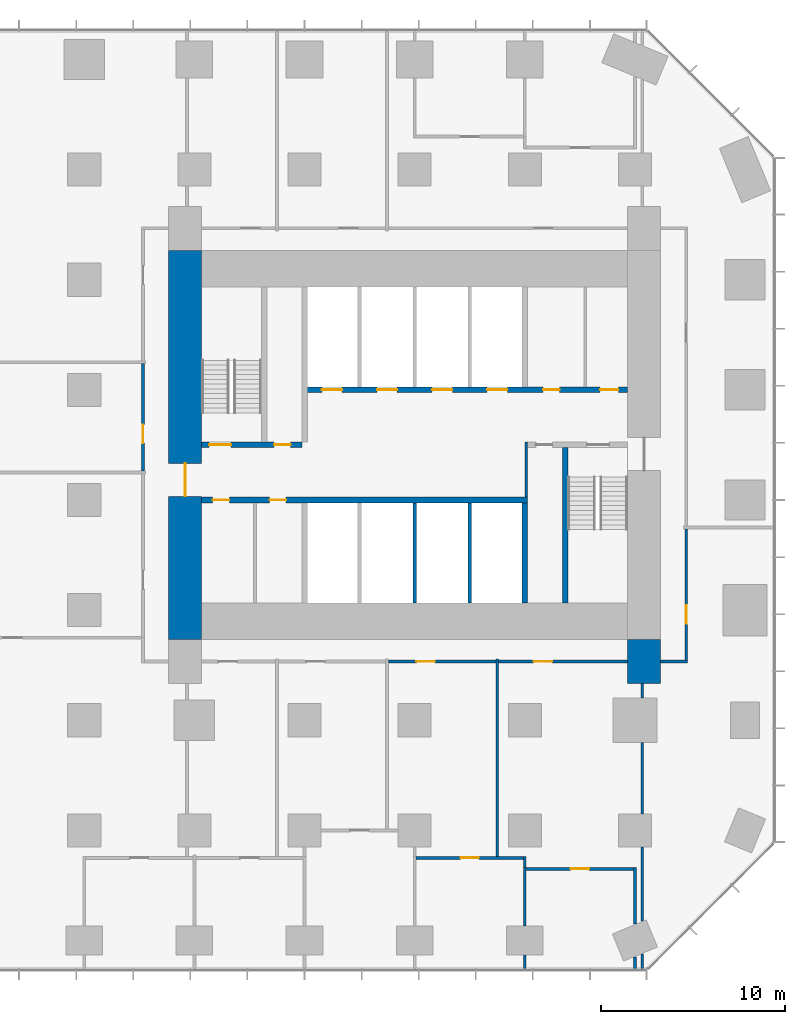
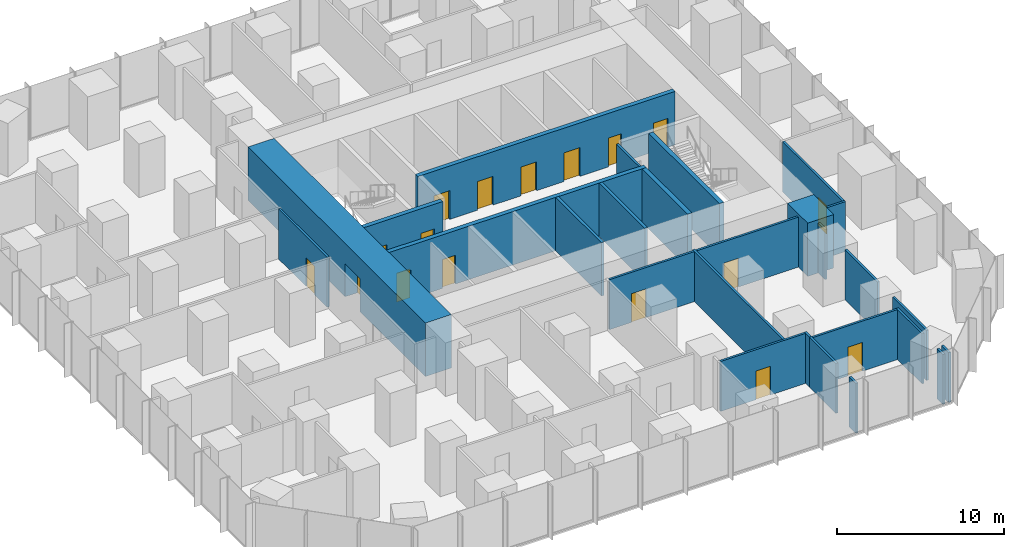
# One storey, part 9 of 12: 27 walls, 17 doors, 17 openings.
"""IFC4 building model written with IfcOpenShell, lengths in metres."""

import ifcopenshell
import ifcopenshell.guid

model = None  # the IFC model being written
_history = None  # IfcOwnerHistory: only IFC2X3 demands one
_inside = {}  # id of a spatial element -> (the spatial element, [elements in it])
_under = {}  # id of a project, library or spatial element -> (it, [spatial elements below it])
_declared = {}  # id of a project -> (the project, [libraries it declares])
_typed = {}  # id of a type object -> (the type object, [elements of that type])
_made_of = {}  # id of a material, layer set ... -> (it, [elements and type objects made of it])


def new_model(schema):
    """Start an empty IFC model of exactly this schema.

    Asked for "IFC4X3", IfcOpenShell would pick the latest addendum, in which some entities
    have other attributes; the version numbers below select the first issue.
    IFC2X3 requires an IfcOwnerHistory on every rooted entity: one is made here for all.
    """
    global model, _history
    if schema == "IFC4X3":
        model = ifcopenshell.file(schema_version=(4, 3, 0, 0))
    else:
        model = ifcopenshell.file(schema=schema)
    _inside.clear()
    _under.clear()
    _declared.clear()
    _typed.clear()
    _made_of.clear()
    _history = None
    if model.schema == "IFC2X3":
        org = make("IfcOrganization", Name="unknown")
        user = make(
            "IfcPersonAndOrganization",
            ThePerson=make("IfcPerson", FamilyName="unknown"),
            TheOrganization=org,
        )
        app = make(
            "IfcApplication",
            ApplicationDeveloper=org,
            Version="unknown",
            ApplicationFullName="unknown",
            ApplicationIdentifier="unknown",
        )
        _history = make(
            "IfcOwnerHistory",
            OwningUser=user,
            OwningApplication=app,
            ChangeAction="ADDED",
            CreationDate=0,
        )
    return model


def make(cls, **values):
    """One entity of the class cls with the attributes given. An attribute that is None is left unset."""
    return model.create_entity(
        cls, **{name: value for name, value in values.items() if value is not None}
    )


def rooted(cls, **values):
    """An entity with a GlobalId (a new one), such as an element, a storey or a relation."""
    return make(cls, GlobalId=ifcopenshell.guid.new(), OwnerHistory=_history, **values)


def si_unit(unit_type, name, prefix=None):
    """IfcSIUnit, for example si_unit("LENGTHUNIT", "METRE", prefix="MILLI")."""
    return make("IfcSIUnit", UnitType=unit_type, Prefix=prefix, Name=name)


def assignment(units):
    """IfcUnitAssignment: the units of a project."""
    return None if units is None else make("IfcUnitAssignment", Units=units)


def point(xyz):
    """IfcCartesianPoint."""
    return None if xyz is None else make("IfcCartesianPoint", Coordinates=xyz)


def direction(xyz):
    """IfcDirection."""
    return None if xyz is None else make("IfcDirection", DirectionRatios=xyz)


def frame(location, z_axis=None, x_axis=None):
    """IfcAxis2Placement3D, a coordinate frame: its origin and axes. An axis left out is left unset."""
    return make(
        "IfcAxis2Placement3D",
        Location=point(location),
        Axis=direction(z_axis),
        RefDirection=direction(x_axis),
    )


def frame_2d(location, x_axis=None):
    """IfcAxis2Placement2D, a coordinate frame in the plane: its origin and x axis."""
    return make(
        "IfcAxis2Placement2D", Location=point(location), RefDirection=direction(x_axis)
    )


def origin():
    """The frame at (0, 0, 0) with its axes left unset."""
    return frame((0.0, 0.0, 0.0))


def place(relative_to, where):
    """IfcLocalPlacement: puts the frame where relative to a parent placement (None: the world)."""
    return make(
        "IfcLocalPlacement", PlacementRelTo=relative_to, RelativePlacement=where
    )


def context(
    kind, dimensions, precision=None, world=None, true_north=None, identifier=None
):
    """IfcGeometricRepresentationContext, for example the 3D "Model" context."""
    return make(
        "IfcGeometricRepresentationContext",
        ContextIdentifier=identifier,
        ContextType=kind,
        CoordinateSpaceDimension=dimensions,
        Precision=precision,
        WorldCoordinateSystem=world,
        TrueNorth=true_north,
    )


def subcontext(parent, identifier, kind, view, scale=None):
    """IfcGeometricRepresentationSubContext, for example "Body" below "Model"."""
    return make(
        "IfcGeometricRepresentationSubContext",
        ContextIdentifier=identifier,
        ContextType=kind,
        ParentContext=parent,
        TargetScale=scale,
        TargetView=view,
    )


def project(units=None, contexts=None):
    """IfcProject with its units and contexts."""
    return rooted(
        "IfcProject",
        Name="project",
        RepresentationContexts=contexts,
        UnitsInContext=assignment(units),
    )


def spatial(cls, under=None, at=None, **own):
    """A site, building, storey or space (cls), placed at a placement, below another one or the project."""
    s = rooted(cls, ObjectPlacement=at, **own)
    if under is not None:
        _under.setdefault(under.id(), (under, []))[1].append(s)
    return s


def profile(cls, at=None, kind="AREA", **sizes):
    """A parametric profile (cls). Its sizes go by their IFC names, for example OverallWidth=200.0."""
    return make(cls, ProfileType=kind, Position=at, **sizes)


def rectangle(**sizes):
    """IfcRectangleProfileDef."""
    return profile("IfcRectangleProfileDef", **sizes)


def extrude(swept, where, along, depth):
    """IfcExtrudedAreaSolid: the profile swept, set in the frame where, extruded along a direction by depth."""
    return make(
        "IfcExtrudedAreaSolid",
        SweptArea=swept,
        Position=where,
        ExtrudedDirection=direction(along),
        Depth=depth,
    )


def shape(context_of_items, identifier, shape_type, items):
    """IfcShapeRepresentation: the items that make up one representation, for example the "Body"."""
    return make(
        "IfcShapeRepresentation",
        ContextOfItems=context_of_items,
        RepresentationIdentifier=identifier,
        RepresentationType=shape_type,
        Items=items,
    )


def material(Name=None, Category=None):
    """IfcMaterial."""
    return make("IfcMaterial", Name=Name, Category=Category)


def layer(
    of_material, thickness, ventilated=None, Name=None, Category=None, Priority=None
):
    """IfcMaterialLayer: one layer of a wall or slab, of a material (None: an air gap)."""
    return make(
        "IfcMaterialLayer",
        Material=of_material,
        LayerThickness=thickness,
        IsVentilated=ventilated,
        Name=Name,
        Category=Category,
        Priority=Priority,
    )


def layer_set(layers, Name=None):
    """IfcMaterialLayerSet."""
    return make("IfcMaterialLayerSet", MaterialLayers=layers, LayerSetName=Name)


def made_of(thing, what):
    """Note that an element or type object is made of a material, layer set ...; save() writes the relation."""
    if what is not None:
        _made_of.setdefault(what.id(), (what, []))[1].append(thing)
    return thing


def type_object(cls, material=None, **own):
    """A type object (cls), such as IfcWallType, which elements share."""
    return made_of(rooted(cls, **own), material)


def element(
    cls,
    number,
    at=None,
    inside=None,
    cuts=None,
    type_object=None,
    material=None,
    context=None,
    identifier="Body",
    shape_type=None,
    held_by="IfcProductDefinitionShape",
    body=None,
    shapes=None,
    **own,
):
    """One element of the class cls, such as IfcWall. Its Tag is "e" and its number.

    at: its placement. inside: the storey or other place that contains it. cuts: it is an
    opening in that element (IfcRelVoidsElement). A single representation is given by context,
    identifier, shape_type and body (its items); several are given by shapes. held_by: the class
    of the entity that holds the representations. save() writes the other relations.
    """
    e = rooted(cls, Tag="e%d" % number, ObjectPlacement=at, **own)
    if body is not None:
        shapes = [shape(context, identifier, shape_type, body)]
    if shapes is not None:
        e.Representation = make(held_by, Representations=shapes)
    if inside is not None:
        _inside.setdefault(inside.id(), (inside, []))[1].append(e)
    if cuts is not None:
        rooted(
            "IfcRelVoidsElement", RelatingBuildingElement=cuts, RelatedOpeningElement=e
        )
    if type_object is not None:
        _typed.setdefault(type_object.id(), (type_object, []))[1].append(e)
    return made_of(e, material)


def fill(opening, filler):
    """IfcRelFillsElement: the door or window that sits in an opening."""
    return rooted(
        "IfcRelFillsElement",
        RelatingOpeningElement=opening,
        RelatedBuildingElement=filler,
    )


def aggregate(whole, parts):
    """IfcRelAggregates: a whole, such as a stair, and the parts it consists of."""
    return rooted("IfcRelAggregates", RelatingObject=whole, RelatedObjects=parts)


def save(model, path):
    """Write the relations noted so far, then the file.

    IfcRelAggregates (storeys below a building ...), IfcRelContainedInSpatialStructure (elements
    in a storey), IfcRelDefinesByType, IfcRelAssociatesMaterial and IfcRelDeclares: one each for
    every whole, place, type object, material and project.
    """
    for whole, parts in _under.values():
        aggregate(whole, parts)
    for where, things in _inside.values():
        rooted(
            "IfcRelContainedInSpatialStructure",
            RelatedElements=things,
            RelatingStructure=where,
        )
    for kind, things in _typed.values():
        rooted("IfcRelDefinesByType", RelatedObjects=things, RelatingType=kind)
    for what, things in _made_of.values():
        rooted("IfcRelAssociatesMaterial", RelatedObjects=things, RelatingMaterial=what)
    for by, libraries in _declared.values():
        rooted("IfcRelDeclares", RelatingContext=by, RelatedDefinitions=libraries)
    model.write(path)


model = new_model("IFC4")

# Units and contexts
model_context = context("Model", 3, precision=1e-05, world=origin(), true_north=direction((0.0, 1.0)))
body_context = subcontext(model_context, "Body", "Model", "MODEL_VIEW")
ifc_project = project(units=[si_unit("LENGTHUNIT", "METRE"), si_unit("AREAUNIT", "SQUARE_METRE"), si_unit("VOLUMEUNIT", "CUBIC_METRE"), si_unit("PLANEANGLEUNIT", "RADIAN"), si_unit("MASSUNIT", "GRAM", prefix="KILO")], contexts=[model_context])

# Site, building, storey
site_placement = place(None, origin())
site = spatial("IfcSite", under=ifc_project, at=site_placement, CompositionType="ELEMENT")
building_placement = place(site_placement, origin())
building = spatial("IfcBuilding", under=site, at=building_placement, Name="Highveld Stack Headquarters", CompositionType="ELEMENT")
storey_placement = place(building_placement, frame((0.0, 0.0, 26.0)))
storey = spatial("IfcBuildingStorey", under=building, at=storey_placement, Name="L05", CompositionType="ELEMENT", Elevation=26.0)

# Wall, opening, door
ifc_material_1 = material(Name="Concrete C60/75", Category="concrete")
ifc_layer_1 = layer(ifc_material_1, 1.800048828125)
ifc_layer_set_1 = layer_set([ifc_layer_1], Name="Concrete C60/75")
wall_type_1 = type_object("IfcWallType", Name="CORE WALL 1800 C60/75", PredefinedType="SHEAR", material=ifc_layer_set_1)
wall_1_placement = place(storey_placement, frame((-6.5, -7.60009765625, 0.0), z_axis=(0.0, 0.0, 1.0), x_axis=(0.0, 1.0, 0.0)))
wall_1 = element("IfcWall", 1, at=wall_1_placement, inside=storey, type_object=wall_type_1, Name="Core wall W L05", PredefinedType="SHEAR", context=body_context, shape_type="SweptSolid", body=[
    extrude(rectangle(XDim=21.2001953125, YDim=1.800048828125, at=frame_2d((10.60009765625, 0.0))), origin(), (0.0, 0.0, 1.0), 3.89990234375),
])
opening_1_placement = place(wall_1_placement, frame((7.800048828125, 0.0, 0.0)))
opening_1 = element("IfcOpeningElement", 2, at=opening_1_placement, cuts=wall_1, Name="Opening L05-01", PredefinedType="OPENING", context=body_context, shape_type="SweptSolid", body=[
    extrude(rectangle(XDim=1.800048828125, YDim=2.39990234375, at=frame_2d((0.89990234375, 1.199951171875))), frame((0.0, 0.909912109375, 0.0), z_axis=(0.0, -1.0, 0.0), x_axis=(1.0, 0.0, 0.0)), (0.0, 0.0, 1.0), 1.820068359375),
])
ifc_material_2 = material(Name="Steel fire door", Category="steel")
door_type_1 = type_object("IfcDoorType", Name="LOBBY FIRE DOOR D4 1800x2400", OperationType="DOUBLE_DOOR_SINGLE_SWING", PredefinedType="DOOR", material=ifc_material_2)
door_1_placement = place(opening_1_placement, origin())
door_1 = element("IfcDoor", 3, at=door_1_placement, inside=storey, type_object=door_type_1, Name="Core west door L05", OperationType="DOUBLE_DOOR_SINGLE_SWING", OverallHeight=2.39990234375, OverallWidth=1.800048828125, PredefinedType="DOOR", context=body_context, shape_type="SweptSolid", body=[
    extrude(rectangle(XDim=1.800048828125, YDim=2.39990234375, at=frame_2d((0.89990234375, 1.199951171875))), frame((0.0, 0.02490234375, 0.0), z_axis=(0.0, -1.0, 0.0), x_axis=(1.0, 0.0, 0.0)), (0.0, 0.0, 1.0), 0.050048828125),
])
fill(opening_1, door_1)

# Wall, openings, doors
ifc_material_3 = material(Name="Concrete C60/75", Category="concrete")
ifc_layer_2 = layer(ifc_material_3, 0.300048828125)
ifc_layer_set_2 = layer_set([ifc_layer_2], Name="Concrete C60/75")
wall_type_2 = type_object("IfcWallType", Name="CORE WALL 300 C60/75", PredefinedType="SHEAR", material=ifc_layer_set_2)
wall_2_placement = place(storey_placement, frame((-5.60009765625, 0.0, 0.0), z_axis=(0.0, 0.0, 1.0), x_axis=(1.0, 0.0, 0.0)))
wall_2 = element("IfcWall", 4, at=wall_2_placement, inside=storey, type_object=wall_type_2, Name="Core wall I-Y0 L05", PredefinedType="SHEAR", context=body_context, shape_type="SweptSolid", body=[
    extrude(rectangle(XDim=17.75, YDim=0.300048828125, at=frame_2d((8.875, 0.0))), origin(), (0.0, 0.0, 1.0), 3.89990234375),
])
opening_2_placement = place(wall_2_placement, frame((0.60009765625, 0.0, 0.0)))
opening_2 = element("IfcOpeningElement", 5, at=opening_2_placement, cuts=wall_2, Name="Opening L05-07", PredefinedType="OPENING", context=body_context, shape_type="SweptSolid", body=[
    extrude(rectangle(XDim=0.89990234375, YDim=2.10009765625, at=frame_2d((0.449951171875, 1.050048828125))), frame((0.0, 0.159912109375, 0.0), z_axis=(0.0, -1.0, 0.0), x_axis=(1.0, 0.0, 0.0)), (0.0, 0.0, 1.0), 0.320068359375),
])
opening_3_placement = place(wall_2_placement, frame((3.699951171875, 0.0, 0.0)))
opening_3 = element("IfcOpeningElement", 6, at=opening_3_placement, cuts=wall_2, Name="Opening L05-08", PredefinedType="OPENING", context=body_context, shape_type="SweptSolid", body=[
    extrude(rectangle(XDim=0.89990234375, YDim=2.10009765625, at=frame_2d((0.449951171875, 1.050048828125))), frame((0.0, 0.159912109375, 0.0), z_axis=(0.0, -1.0, 0.0), x_axis=(1.0, 0.0, 0.0)), (0.0, 0.0, 1.0), 0.320068359375),
])
ifc_material_4 = material(Name="Timber door, painted", Category="wood")
door_type_2 = type_object("IfcDoorType", Name="WC DOOR D1 900x2100", OperationType="SINGLE_SWING_LEFT", PredefinedType="DOOR", material=ifc_material_4)
door_2_placement = place(opening_2_placement, origin())
door_2 = element("IfcDoor", 7, at=door_2_placement, inside=storey, type_object=door_type_2, Name="Female WC door L05", OperationType="SINGLE_SWING_LEFT", OverallHeight=2.10009765625, OverallWidth=0.89990234375, PredefinedType="DOOR", context=body_context, shape_type="SweptSolid", body=[
    extrude(rectangle(XDim=0.89990234375, YDim=2.10009765625, at=frame_2d((0.449951171875, 1.050048828125))), frame((0.0, 0.02490234375, 0.0), z_axis=(0.0, -1.0, 0.0), x_axis=(1.0, 0.0, 0.0)), (0.0, 0.0, 1.0), 0.050048828125),
])
fill(opening_2, door_2)
door_3_placement = place(opening_3_placement, origin())
door_3 = element("IfcDoor", 8, at=door_3_placement, inside=storey, type_object=door_type_2, Name="Shower and changing room door L05", OperationType="SINGLE_SWING_LEFT", OverallHeight=2.10009765625, OverallWidth=0.89990234375, PredefinedType="DOOR", context=body_context, shape_type="SweptSolid", body=[
    extrude(rectangle(XDim=0.89990234375, YDim=2.10009765625, at=frame_2d((0.449951171875, 1.050048828125))), frame((0.0, 0.02490234375, 0.0), z_axis=(0.0, -1.0, 0.0), x_axis=(1.0, 0.0, 0.0)), (0.0, 0.0, 1.0), 0.050048828125),
])
fill(opening_3, door_3)

wall_3_placement = place(storey_placement, frame((-5.60009765625, 3.0, 0.0), z_axis=(0.0, 0.0, 1.0), x_axis=(1.0, 0.0, 0.0)))
wall_3 = element("IfcWall", 9, at=wall_3_placement, inside=storey, type_object=wall_type_2, Name="Core wall I-Y3W L05", PredefinedType="SHEAR", context=body_context, shape_type="SweptSolid", body=[
    extrude(rectangle(XDim=5.4501953125, YDim=0.300048828125, at=frame_2d((2.72509765625, 0.0))), origin(), (0.0, 0.0, 1.0), 3.89990234375),
])
opening_4_placement = place(wall_3_placement, frame((0.39990234375, 0.0, 0.0)))
opening_4 = element("IfcOpeningElement", 10, at=opening_4_placement, cuts=wall_3, Name="Opening L05-03", PredefinedType="OPENING", context=body_context, shape_type="SweptSolid", body=[
    extrude(rectangle(XDim=1.199951171875, YDim=2.10009765625, at=frame_2d((0.60009765625, 1.050048828125))), frame((0.0, 0.159912109375, 0.0), z_axis=(0.0, -1.0, 0.0), x_axis=(1.0, 0.0, 0.0)), (0.0, 0.0, 1.0), 0.320068359375),
])
opening_5_placement = place(wall_3_placement, frame((3.949951171875, 0.0, 0.0)))
opening_5 = element("IfcOpeningElement", 11, at=opening_5_placement, cuts=wall_3, Name="Opening L05-04", PredefinedType="OPENING", context=body_context, shape_type="SweptSolid", body=[
    extrude(rectangle(XDim=0.89990234375, YDim=2.10009765625, at=frame_2d((0.449951171875, 1.050048828125))), frame((0.0, 0.159912109375, 0.0), z_axis=(0.0, -1.0, 0.0), x_axis=(1.0, 0.0, 0.0)), (0.0, 0.0, 1.0), 0.320068359375),
])
ifc_material_5 = material(Name="Steel fire door", Category="steel")
door_type_3 = type_object("IfcDoorType", Name="RISER ACCESS DOOR D5 900x2100", OperationType="SINGLE_SWING_LEFT", PredefinedType="DOOR", material=ifc_material_5)
door_4_placement = place(opening_5_placement, origin())
door_4 = element("IfcDoor", 12, at=door_4_placement, inside=storey, type_object=door_type_3, Name="Riser R1 door L05", OperationType="SINGLE_SWING_RIGHT", OverallHeight=2.10009765625, OverallWidth=0.89990234375, PredefinedType="DOOR", context=body_context, shape_type="SweptSolid", body=[
    extrude(rectangle(XDim=0.89990234375, YDim=2.10009765625, at=frame_2d((0.449951171875, 1.050048828125))), frame((0.0, 0.02490234375, 0.0), z_axis=(0.0, -1.0, 0.0), x_axis=(1.0, 0.0, 0.0)), (0.0, 0.0, 1.0), 0.050048828125),
])
fill(opening_5, door_4)
ifc_material_6 = material(Name="Steel fire door", Category="steel")
door_type_4 = type_object("IfcDoorType", Name="STAIR FIRE DOOR D3 1200x2100", OperationType="SINGLE_SWING_LEFT", PredefinedType="DOOR", material=ifc_material_6)
door_5_placement = place(opening_4_placement, origin())
door_5 = element("IfcDoor", 13, at=door_5_placement, inside=storey, type_object=door_type_4, Name="Stair S1 door L05", OperationType="SINGLE_SWING_LEFT", OverallHeight=2.10009765625, OverallWidth=1.199951171875, PredefinedType="DOOR", context=body_context, shape_type="SweptSolid", body=[
    extrude(rectangle(XDim=1.199951171875, YDim=2.10009765625, at=frame_2d((0.60009765625, 1.050048828125))), frame((0.0, 0.02490234375, 0.0), z_axis=(0.0, -1.0, 0.0), x_axis=(1.0, 0.0, 0.0)), (0.0, 0.0, 1.0), 0.050048828125),
])
fill(opening_4, door_5)

wall_4_placement = place(storey_placement, frame((-0.14990234375, 6.0, 0.0), z_axis=(0.0, 0.0, 1.0), x_axis=(1.0, 0.0, 0.0)))
wall_4 = element("IfcWall", 14, at=wall_4_placement, inside=storey, type_object=wall_type_2, Name="Core wall I-Y6 L05", PredefinedType="SHEAR", context=body_context, shape_type="SweptSolid", body=[
    extrude(rectangle(XDim=17.75, YDim=0.300048828125, at=frame_2d((8.875, 0.0))), origin(), (0.0, 0.0, 1.0), 3.89990234375),
])
opening_6_placement = place(wall_4_placement, frame((13.14990234375, 0.0, 0.0)))
opening_6 = element("IfcOpeningElement", 15, at=opening_6_placement, cuts=wall_4, Name="Opening L05-09", PredefinedType="OPENING", context=body_context, shape_type="SweptSolid", body=[
    extrude(rectangle(XDim=0.89990234375, YDim=2.10009765625, at=frame_2d((0.449951171875, 1.050048828125))), frame((0.0, 0.159912109375, 0.0), z_axis=(0.0, -1.0, 0.0), x_axis=(1.0, 0.0, 0.0)), (0.0, 0.0, 1.0), 0.320068359375),
])
opening_7_placement = place(wall_4_placement, frame((16.25, 0.0, 0.0)))
opening_7 = element("IfcOpeningElement", 16, at=opening_7_placement, cuts=wall_4, Name="Opening L05-10", PredefinedType="OPENING", context=body_context, shape_type="SweptSolid", body=[
    extrude(rectangle(XDim=1.0, YDim=2.10009765625, at=frame_2d((0.5, 1.050048828125))), frame((0.0, 0.159912109375, 0.0), z_axis=(0.0, -1.0, 0.0), x_axis=(1.0, 0.0, 0.0)), (0.0, 0.0, 1.0), 0.320068359375),
])
opening_8_placement = place(wall_4_placement, frame((1.10009765625, 0.0, 0.0)))
opening_8 = element("IfcOpeningElement", 17, at=opening_8_placement, cuts=wall_4, Name="Opening LD", PredefinedType="OPENING", context=body_context, shape_type="SweptSolid", body=[
    extrude(rectangle(XDim=1.10009765625, YDim=2.10009765625, at=frame_2d((0.550048828125, 1.050048828125))), frame((0.0, 0.159912109375, 0.0), z_axis=(0.0, -1.0, 0.0), x_axis=(1.0, 0.0, 0.0)), (0.0, 0.0, 1.0), 0.320068359375),
])
opening_9_placement = place(wall_4_placement, frame((4.10009765625, 0.0, 0.0)))
opening_9 = element("IfcOpeningElement", 18, at=opening_9_placement, cuts=wall_4, Name="Opening LD", PredefinedType="OPENING", context=body_context, shape_type="SweptSolid", body=[
    extrude(rectangle(XDim=1.10009765625, YDim=2.10009765625, at=frame_2d((0.550048828125, 1.050048828125))), frame((0.0, 0.159912109375, 0.0), z_axis=(0.0, -1.0, 0.0), x_axis=(1.0, 0.0, 0.0)), (0.0, 0.0, 1.0), 0.320068359375),
])
opening_10_placement = place(wall_4_placement, frame((7.10009765625, 0.0, 0.0)))
opening_10 = element("IfcOpeningElement", 19, at=opening_10_placement, cuts=wall_4, Name="Opening LD", PredefinedType="OPENING", context=body_context, shape_type="SweptSolid", body=[
    extrude(rectangle(XDim=1.10009765625, YDim=2.10009765625, at=frame_2d((0.550048828125, 1.050048828125))), frame((0.0, 0.159912109375, 0.0), z_axis=(0.0, -1.0, 0.0), x_axis=(1.0, 0.0, 0.0)), (0.0, 0.0, 1.0), 0.320068359375),
])
opening_11_placement = place(wall_4_placement, frame((10.10009765625, 0.0, 0.0)))
opening_11 = element("IfcOpeningElement", 20, at=opening_11_placement, cuts=wall_4, Name="Opening LD", PredefinedType="OPENING", context=body_context, shape_type="SweptSolid", body=[
    extrude(rectangle(XDim=1.10009765625, YDim=2.10009765625, at=frame_2d((0.550048828125, 1.050048828125))), frame((0.0, 0.159912109375, 0.0), z_axis=(0.0, -1.0, 0.0), x_axis=(1.0, 0.0, 0.0)), (0.0, 0.0, 1.0), 0.320068359375),
])
ifc_material_7 = material(Name="Timber door, painted", Category="wood")
door_type_5 = type_object("IfcDoorType", Name="ACCESSIBLE WC DOOR D2 1000x2100", OperationType="SINGLE_SWING_RIGHT", PredefinedType="DOOR", material=ifc_material_7)
door_6_placement = place(opening_7_placement, origin())
door_6 = element("IfcDoor", 21, at=door_6_placement, inside=storey, type_object=door_type_5, Name="Accessible WC door L05", OperationType="SINGLE_SWING_RIGHT", OverallHeight=2.10009765625, OverallWidth=1.0, PredefinedType="DOOR", context=body_context, shape_type="SweptSolid", body=[
    extrude(rectangle(XDim=1.0, YDim=2.10009765625, at=frame_2d((0.5, 1.050048828125))), frame((0.0, 0.02490234375, 0.0), z_axis=(0.0, -1.0, 0.0), x_axis=(1.0, 0.0, 0.0)), (0.0, 0.0, 1.0), 0.050048828125),
])
fill(opening_7, door_6)
ifc_material_8 = material(Name="Stainless steel lift landing door", Category="steel")
door_type_6 = type_object("IfcDoorType", Name="LIFT LANDING DOOR LD 1100x2100", OperationType="DOUBLE_DOOR_SLIDING", PredefinedType="USERDEFINED", material=ifc_material_8)
door_7_placement = place(opening_8_placement, origin())
door_7 = element("IfcDoor", 22, at=door_7_placement, inside=storey, type_object=door_type_6, Name="Lift landing door FF1 L05", ObjectType="LIFT LANDING DOOR", OperationType="DOUBLE_DOOR_SLIDING", OverallHeight=2.10009765625, OverallWidth=1.10009765625, PredefinedType="USERDEFINED", context=body_context, shape_type="SweptSolid", body=[
    extrude(rectangle(XDim=1.10009765625, YDim=2.10009765625, at=frame_2d((0.550048828125, 1.050048828125))), frame((0.0, 0.02490234375, 0.0), z_axis=(0.0, -1.0, 0.0), x_axis=(1.0, 0.0, 0.0)), (0.0, 0.0, 1.0), 0.050048828125),
])
fill(opening_8, door_7)
door_8_placement = place(opening_9_placement, origin())
door_8 = element("IfcDoor", 23, at=door_8_placement, inside=storey, type_object=door_type_6, Name="Lift landing door FF2 L05", ObjectType="LIFT LANDING DOOR", OperationType="DOUBLE_DOOR_SLIDING", OverallHeight=2.10009765625, OverallWidth=1.10009765625, PredefinedType="USERDEFINED", context=body_context, shape_type="SweptSolid", body=[
    extrude(rectangle(XDim=1.10009765625, YDim=2.10009765625, at=frame_2d((0.550048828125, 1.050048828125))), frame((0.0, 0.02490234375, 0.0), z_axis=(0.0, -1.0, 0.0), x_axis=(1.0, 0.0, 0.0)), (0.0, 0.0, 1.0), 0.050048828125),
])
fill(opening_9, door_8)
door_9_placement = place(opening_10_placement, origin())
door_9 = element("IfcDoor", 24, at=door_9_placement, inside=storey, type_object=door_type_6, Name="Lift landing door A1 L05", ObjectType="LIFT LANDING DOOR", OperationType="DOUBLE_DOOR_SLIDING", OverallHeight=2.10009765625, OverallWidth=1.10009765625, PredefinedType="USERDEFINED", context=body_context, shape_type="SweptSolid", body=[
    extrude(rectangle(XDim=1.10009765625, YDim=2.10009765625, at=frame_2d((0.550048828125, 1.050048828125))), frame((0.0, 0.02490234375, 0.0), z_axis=(0.0, -1.0, 0.0), x_axis=(1.0, 0.0, 0.0)), (0.0, 0.0, 1.0), 0.050048828125),
])
fill(opening_10, door_9)
door_10_placement = place(opening_11_placement, origin())
door_10 = element("IfcDoor", 25, at=door_10_placement, inside=storey, type_object=door_type_6, Name="Lift landing door A2 L05", ObjectType="LIFT LANDING DOOR", OperationType="DOUBLE_DOOR_SLIDING", OverallHeight=2.10009765625, OverallWidth=1.10009765625, PredefinedType="USERDEFINED", context=body_context, shape_type="SweptSolid", body=[
    extrude(rectangle(XDim=1.10009765625, YDim=2.10009765625, at=frame_2d((0.550048828125, 1.050048828125))), frame((0.0, 0.02490234375, 0.0), z_axis=(0.0, -1.0, 0.0), x_axis=(1.0, 0.0, 0.0)), (0.0, 0.0, 1.0), 0.050048828125),
])
fill(opening_11, door_10)
door_11_placement = place(opening_6_placement, origin())
door_11 = element("IfcDoor", 26, at=door_11_placement, inside=storey, type_object=door_type_2, Name="Male WC door L05", OperationType="SINGLE_SWING_RIGHT", OverallHeight=2.10009765625, OverallWidth=0.89990234375, PredefinedType="DOOR", context=body_context, shape_type="SweptSolid", body=[
    extrude(rectangle(XDim=0.89990234375, YDim=2.10009765625, at=frame_2d((0.449951171875, 1.050048828125))), frame((0.0, 0.02490234375, 0.0), z_axis=(0.0, -1.0, 0.0), x_axis=(1.0, 0.0, 0.0)), (0.0, 0.0, 1.0), 0.050048828125),
])
fill(opening_6, door_11)

# Walls
wall_5_placement = place(storey_placement, frame((12.0, -5.60009765625, 0.0), z_axis=(0.0, 0.0, 1.0), x_axis=(0.0, 1.0, 0.0)))
element("IfcWall", 27, at=wall_5_placement, inside=storey, type_object=wall_type_2, Name="Core wall I-X12S L05", PredefinedType="SHEAR", context=body_context, shape_type="SweptSolid", body=[
    extrude(rectangle(XDim=5.4501953125, YDim=0.300048828125, at=frame_2d((2.72509765625, 0.0))), origin(), (0.0, 0.0, 1.0), 3.89990234375),
])
wall_6_placement = place(storey_placement, frame((14.199951171875, -5.60009765625, 0.0), z_axis=(0.0, 0.0, 1.0), x_axis=(0.0, 1.0, 0.0)))
element("IfcWall", 28, at=wall_6_placement, inside=storey, type_object=wall_type_2, Name="Core wall I-RE L05", PredefinedType="SHEAR", context=body_context, shape_type="SweptSolid", body=[
    extrude(rectangle(XDim=8.4501953125, YDim=0.300048828125, at=frame_2d((4.22509765625, 0.0))), origin(), (0.0, 0.0, 1.0), 3.89990234375),
])
ifc_material_9 = material(Name="Concrete C60/75", Category="concrete")
ifc_layer_3 = layer(ifc_material_9, 1.800048828125)
ifc_layer_set_3 = layer_set([ifc_layer_3], Name="Concrete C60/75")
wall_type_3 = type_object("IfcWallType", Name="CORE WING WALL 1800 C60/75", PredefinedType="SHEAR", material=ifc_layer_set_3)
wall_7_placement = place(storey_placement, frame((18.5, -10.0, 0.0), z_axis=(0.0, 0.0, 1.0), x_axis=(0.0, 1.0, 0.0)))
element("IfcWall", 29, at=wall_7_placement, inside=storey, type_object=wall_type_3, Name="Core wing wall ES L05", PredefinedType="SHEAR", context=body_context, shape_type="SweptSolid", body=[
    extrude(rectangle(XDim=2.39990234375, YDim=1.800048828125, at=frame_2d((1.199951171875, 0.0))), origin(), (0.0, 0.0, 1.0), 3.89990234375),
])
ifc_material_10 = material(Name="Concrete blockwork, plastered", Category="masonry")
ifc_layer_4 = layer(ifc_material_10, 0.14990234375)
ifc_layer_set_4 = layer_set([ifc_layer_4], Name="Concrete blockwork, plastered")
wall_type_4 = type_object("IfcWallType", Name="FIRE PARTITION 150 BLOCKWORK", PredefinedType="PARTITIONING", material=ifc_layer_set_4)
wall_8_placement = place(storey_placement, frame((12.074951171875, 0.14990234375, 0.0), z_axis=(0.0, 0.0, 1.0), x_axis=(0.0, 1.0, 0.0)))
element("IfcWall", 30, at=wall_8_placement, inside=storey, type_object=wall_type_4, Name="Riser R2 enclosure L05", PredefinedType="PARTITIONING", context=body_context, shape_type="SweptSolid", body=[
    extrude(rectangle(XDim=3.0, YDim=0.14990234375, at=frame_2d((1.5, 0.0))), origin(), (0.0, 0.0, 1.0), 3.64990234375),
])
ifc_material_11 = material(Name="Concrete blockwork, fair-faced", Category="masonry")
ifc_layer_5 = layer(ifc_material_11, 0.199951171875)
ifc_layer_set_5 = layer_set([ifc_layer_5], Name="Concrete blockwork, fair-faced")
wall_type_5 = type_object("IfcWallType", Name="LIFT SHAFT ENCLOSURE WALL 200 BLOCKWORK", PredefinedType="SOLIDWALL", material=ifc_layer_set_5)
for number, where, z_axis, x_axis, name in (
    (31, (6.0, -5.60009765625, 0.0), (0.0, 0.0, 1.0), (0.0, 1.0, 0.0), "Lift shaft wall L05"),
    (32, (9.0, -5.60009765625, 0.0), (0.0, 0.0, 1.0), (0.0, 1.0, 0.0), "Lift shaft wall L05"),
):
    element("IfcWall", number, at=place(storey_placement, frame(where, z_axis=z_axis, x_axis=x_axis)), inside=storey, type_object=wall_type_5, Name=name, PredefinedType="SOLIDWALL", context=body_context, shape_type="SweptSolid", body=[
        extrude(rectangle(XDim=5.4501953125, YDim=0.199951171875, at=frame_2d((2.72509765625, 0.0))), origin(), (0.0, 0.0, 1.0), 3.89990234375),
    ])

# Wall, opening, door
ifc_material_12 = material(Name="Gypsum plasterboard on steel studs", Category="steel")
ifc_layer_6 = layer(ifc_material_12, 0.14990234375)
ifc_layer_set_6 = layer_set([ifc_layer_6], Name="Gypsum plasterboard on steel studs")
wall_type_6 = type_object("IfcWallType", Name="PARTITION 150 PLASTERBOARD", PredefinedType="PARTITIONING", material=ifc_layer_set_6)
wall_9_placement = place(storey_placement, frame((12.074951171875, -20.10009765625, 0.0), z_axis=(0.0, 0.0, 1.0), x_axis=(1.0, 0.0, 0.0)))
wall_9 = element("IfcWall", 33, at=wall_9_placement, inside=storey, type_object=wall_type_6, Name="Partition Focus room L05", PredefinedType="PARTITIONING", context=body_context, shape_type="SweptSolid", body=[
    extrude(rectangle(XDim=5.85009765625, YDim=0.14990234375, at=frame_2d((2.925048828125, 0.0))), origin(), (0.0, 0.0, 1.0), 3.64990234375),
])
opening_12_placement = place(wall_9_placement, frame((2.425048828125, 0.0, 0.0)))
opening_12 = element("IfcOpeningElement", 34, at=opening_12_placement, cuts=wall_9, Name="Opening L05-15", PredefinedType="OPENING", context=body_context, shape_type="SweptSolid", body=[
    extrude(rectangle(XDim=1.0, YDim=2.10009765625, at=frame_2d((0.5, 1.050048828125))), frame((0.0, 0.0849609375, 0.0), z_axis=(0.0, -1.0, 0.0), x_axis=(1.0, 0.0, 0.0)), (0.0, 0.0, 1.0), 0.169921875),
])
ifc_material_13 = material(Name="Timber door, oiled ash", Category="wood")
door_type_7 = type_object("IfcDoorType", Name="ROOM DOOR D6 1000x2100", OperationType="SINGLE_SWING_LEFT", PredefinedType="DOOR", material=ifc_material_13)
door_12_placement = place(opening_12_placement, origin())
door_12 = element("IfcDoor", 35, at=door_12_placement, inside=storey, type_object=door_type_7, Name="Focus room door 1 L05", OperationType="SINGLE_SWING_LEFT", OverallHeight=2.10009765625, OverallWidth=1.0, PredefinedType="DOOR", context=body_context, shape_type="SweptSolid", body=[
    extrude(rectangle(XDim=1.0, YDim=2.10009765625, at=frame_2d((0.5, 1.050048828125))), frame((0.0, 0.02490234375, 0.0), z_axis=(0.0, -1.0, 0.0), x_axis=(1.0, 0.0, 0.0)), (0.0, 0.0, 1.0), 0.050048828125),
])
fill(opening_12, door_12)

wall_10_placement = place(storey_placement, frame((6.074951171875, -19.5, 0.0), z_axis=(0.0, 0.0, 1.0), x_axis=(1.0, 0.0, 0.0)))
wall_10 = element("IfcWall", 36, at=wall_10_placement, inside=storey, type_object=wall_type_6, Name="Partition Quiet room L05", PredefinedType="PARTITIONING", context=body_context, shape_type="SweptSolid", body=[
    extrude(rectangle(XDim=5.85009765625, YDim=0.14990234375, at=frame_2d((2.925048828125, 0.0))), origin(), (0.0, 0.0, 1.0), 3.64990234375),
])
opening_13_placement = place(wall_10_placement, frame((2.425048828125, 0.0, 0.0)))
opening_13 = element("IfcOpeningElement", 37, at=opening_13_placement, cuts=wall_10, Name="Opening L05-14", PredefinedType="OPENING", context=body_context, shape_type="SweptSolid", body=[
    extrude(rectangle(XDim=1.0, YDim=2.10009765625, at=frame_2d((0.5, 1.050048828125))), frame((0.0, 0.0849609375, 0.0), z_axis=(0.0, -1.0, 0.0), x_axis=(1.0, 0.0, 0.0)), (0.0, 0.0, 1.0), 0.169921875),
])
door_13_placement = place(opening_13_placement, origin())
door_13 = element("IfcDoor", 38, at=door_13_placement, inside=storey, type_object=door_type_7, Name="Quiet room door 1 L05", OperationType="SINGLE_SWING_LEFT", OverallHeight=2.10009765625, OverallWidth=1.0, PredefinedType="DOOR", context=body_context, shape_type="SweptSolid", body=[
    extrude(rectangle(XDim=1.0, YDim=2.10009765625, at=frame_2d((0.5, 1.050048828125))), frame((0.0, 0.02490234375, 0.0), z_axis=(0.0, -1.0, 0.0), x_axis=(1.0, 0.0, 0.0)), (0.0, 0.0, 1.0), 0.050048828125),
])
fill(opening_13, door_13)

# Walls
wall_11_placement = place(storey_placement, frame((12.0, -25.60009765625, 0.0), z_axis=(0.0, 0.0, 1.0), x_axis=(0.0, 1.0, 0.0)))
element("IfcWall", 39, at=wall_11_placement, inside=storey, type_object=wall_type_6, Name="Partition Focus room / Quiet room L05", PredefinedType="PARTITIONING", context=body_context, shape_type="SweptSolid", body=[
    extrude(rectangle(XDim=0.800048828125, YDim=0.14990234375, at=frame_2d((0.39990234375, 0.0))), origin(), (0.0, 0.0, 1.0), 3.64990234375),
])
wall_12_placement = place(storey_placement, frame((12.0, -23.199951171875, 0.0), z_axis=(0.0, 0.0, 1.0), x_axis=(0.0, 1.0, 0.0)))
element("IfcWall", 40, at=wall_12_placement, inside=storey, type_object=wall_type_6, Name="Partition Focus room / Quiet room L05", PredefinedType="PARTITIONING", context=body_context, shape_type="SweptSolid", body=[
    extrude(rectangle(XDim=3.175048828125, YDim=0.14990234375, at=frame_2d((1.58740234375, 0.0))), origin(), (0.0, 0.0, 1.0), 3.64990234375),
])
wall_13_placement = place(storey_placement, frame((12.0, -20.02490234375, 0.0), z_axis=(0.0, 0.0, 1.0), x_axis=(0.0, 1.0, 0.0)))
element("IfcWall", 41, at=wall_13_placement, inside=storey, type_object=wall_type_6, Name="Partition Quiet room L05", PredefinedType="PARTITIONING", context=body_context, shape_type="SweptSolid", body=[
    extrude(rectangle(XDim=0.599853515625, YDim=0.14990234375, at=frame_2d((0.2998046875, 0.0))), origin(), (0.0, 0.0, 1.0), 3.64990234375),
])
wall_14_placement = place(storey_placement, frame((18.0, -25.60009765625, 0.0), z_axis=(0.0, 0.0, 1.0), x_axis=(0.0, 1.0, 0.0)))
element("IfcWall", 42, at=wall_14_placement, inside=storey, type_object=wall_type_6, Name="Partition Focus room L05", PredefinedType="PARTITIONING", context=body_context, shape_type="SweptSolid", body=[
    extrude(rectangle(XDim=0.703125, YDim=0.14990234375, at=frame_2d((0.3515625, 0.0))), origin(), (0.0, 0.0, 1.0), 3.64990234375),
])
wall_15_placement = place(storey_placement, frame((18.0, -23.10302734375, 0.0), z_axis=(0.0, 0.0, 1.0), x_axis=(0.0, 1.0, 0.0)))
element("IfcWall", 43, at=wall_15_placement, inside=storey, type_object=wall_type_6, Name="Partition Focus room L05", PredefinedType="PARTITIONING", context=body_context, shape_type="SweptSolid", body=[
    extrude(rectangle(XDim=3.078125, YDim=0.14990234375, at=frame_2d((1.5390625, 0.0))), origin(), (0.0, 0.0, 1.0), 3.64990234375),
])

# Wall, opening, door
wall_16_placement = place(storey_placement, frame((-8.800048828125, 1.574951171875, 0.0), z_axis=(0.0, 0.0, 1.0), x_axis=(0.0, 1.0, 0.0)))
wall_16 = element("IfcWall", 44, at=wall_16_placement, inside=storey, type_object=wall_type_6, Name="Partition office neighbourhood L05", PredefinedType="PARTITIONING", context=body_context, shape_type="SweptSolid", body=[
    extrude(rectangle(XDim=5.85009765625, YDim=0.14990234375, at=frame_2d((2.925048828125, 0.0))), origin(), (0.0, 0.0, 1.0), 3.64990234375),
])
opening_14_placement = place(wall_16_placement, frame((1.52490234375, 0.0, 0.0)))
opening_14 = element("IfcOpeningElement", 45, at=opening_14_placement, cuts=wall_16, Name="Opening L05-29", PredefinedType="OPENING", context=body_context, shape_type="SweptSolid", body=[
    extrude(rectangle(XDim=1.0, YDim=2.10009765625, at=frame_2d((0.5, 1.050048828125))), frame((0.0, 0.0849609375, 0.0), z_axis=(0.0, -1.0, 0.0), x_axis=(1.0, 0.0, 0.0)), (0.0, 0.0, 1.0), 0.169921875),
])
door_14_placement = place(opening_14_placement, origin())
door_14 = element("IfcDoor", 46, at=door_14_placement, inside=storey, type_object=door_type_7, Name="Office neighbourhood door L05", OperationType="SINGLE_SWING_LEFT", OverallHeight=2.10009765625, OverallWidth=1.0, PredefinedType="DOOR", context=body_context, shape_type="SweptSolid", body=[
    extrude(rectangle(XDim=1.0, YDim=2.10009765625, at=frame_2d((0.5, 1.050048828125))), frame((0.0, 0.02490234375, 0.0), z_axis=(0.0, -1.0, 0.0), x_axis=(1.0, 0.0, 0.0)), (0.0, 0.0, 1.0), 0.050048828125),
])
fill(opening_14, door_14)

wall_17_placement = place(storey_placement, frame((4.574951171875, -8.800048828125, 0.0), z_axis=(0.0, 0.0, 1.0), x_axis=(1.0, 0.0, 0.0)))
wall_17 = element("IfcWall", 47, at=wall_17_placement, inside=storey, type_object=wall_type_6, Name="Partition office neighbourhood L05", PredefinedType="PARTITIONING", context=body_context, shape_type="SweptSolid", body=[
    extrude(rectangle(XDim=5.85009765625, YDim=0.14990234375, at=frame_2d((2.925048828125, 0.0))), origin(), (0.0, 0.0, 1.0), 3.64990234375),
])
opening_15_placement = place(wall_17_placement, frame((1.52490234375, 0.0, 0.0)))
opening_15 = element("IfcOpeningElement", 48, at=opening_15_placement, cuts=wall_17, Name="Opening L05-25", PredefinedType="OPENING", context=body_context, shape_type="SweptSolid", body=[
    extrude(rectangle(XDim=1.0, YDim=2.10009765625, at=frame_2d((0.5, 1.050048828125))), frame((0.0, 0.0849609375, 0.0), z_axis=(0.0, -1.0, 0.0), x_axis=(1.0, 0.0, 0.0)), (0.0, 0.0, 1.0), 0.169921875),
])
door_15_placement = place(opening_15_placement, origin())
door_15 = element("IfcDoor", 49, at=door_15_placement, inside=storey, type_object=door_type_7, Name="Office neighbourhood door L05", OperationType="SINGLE_SWING_LEFT", OverallHeight=2.10009765625, OverallWidth=1.0, PredefinedType="DOOR", context=body_context, shape_type="SweptSolid", body=[
    extrude(rectangle(XDim=1.0, YDim=2.10009765625, at=frame_2d((0.5, 1.050048828125))), frame((0.0, 0.02490234375, 0.0), z_axis=(0.0, -1.0, 0.0), x_axis=(1.0, 0.0, 0.0)), (0.0, 0.0, 1.0), 0.050048828125),
])
fill(opening_15, door_15)

# Wall
wall_18_placement = place(storey_placement, frame((10.5, -19.425048828125, 0.0), z_axis=(0.0, 0.0, 1.0), x_axis=(0.0, 1.0, 0.0)))
element("IfcWall", 50, at=wall_18_placement, inside=storey, type_object=wall_type_6, Name="Partition office neighbourhood L05", PredefinedType="PARTITIONING", context=body_context, shape_type="SweptSolid", body=[
    extrude(rectangle(XDim=10.775146484375, YDim=0.14990234375, at=frame_2d((5.3876953125, 0.0))), origin(), (0.0, 0.0, 1.0), 3.64990234375),
])

# Wall, opening, door
wall_19_placement = place(storey_placement, frame((10.574951171875, -8.800048828125, 0.0), z_axis=(0.0, 0.0, 1.0), x_axis=(1.0, 0.0, 0.0)))
wall_19 = element("IfcWall", 51, at=wall_19_placement, inside=storey, type_object=wall_type_6, Name="Partition office neighbourhood L05", PredefinedType="PARTITIONING", context=body_context, shape_type="SweptSolid", body=[
    extrude(rectangle(XDim=7.025146484375, YDim=0.14990234375, at=frame_2d((3.5126953125, 0.0))), origin(), (0.0, 0.0, 1.0), 3.64990234375),
])
opening_16_placement = place(wall_19_placement, frame((1.909912109375, 0.0, 0.0)))
opening_16 = element("IfcOpeningElement", 52, at=opening_16_placement, cuts=wall_19, Name="Opening L05-23", PredefinedType="OPENING", context=body_context, shape_type="SweptSolid", body=[
    extrude(rectangle(XDim=1.0, YDim=2.10009765625, at=frame_2d((0.5, 1.050048828125))), frame((0.0, 0.0849609375, 0.0), z_axis=(0.0, -1.0, 0.0), x_axis=(1.0, 0.0, 0.0)), (0.0, 0.0, 1.0), 0.169921875),
])
door_16_placement = place(opening_16_placement, origin())
door_16 = element("IfcDoor", 53, at=door_16_placement, inside=storey, type_object=door_type_7, Name="Office neighbourhood door L05", OperationType="SINGLE_SWING_LEFT", OverallHeight=2.10009765625, OverallWidth=1.0, PredefinedType="DOOR", context=body_context, shape_type="SweptSolid", body=[
    extrude(rectangle(XDim=1.0, YDim=2.10009765625, at=frame_2d((0.5, 1.050048828125))), frame((0.0, 0.02490234375, 0.0), z_axis=(0.0, -1.0, 0.0), x_axis=(1.0, 0.0, 0.0)), (0.0, 0.0, 1.0), 0.050048828125),
])
fill(opening_16, door_16)

# Walls
wall_20_placement = place(storey_placement, frame((18.39990234375, -25.60009765625, 0.0), z_axis=(0.0, 0.0, 1.0), x_axis=(0.0, 1.0, 0.0)))
element("IfcWall", 54, at=wall_20_placement, inside=storey, type_object=wall_type_6, Name="Partition office neighbourhood L05", PredefinedType="PARTITIONING", context=body_context, shape_type="SweptSolid", body=[
    extrude(rectangle(XDim=0.868896484375, YDim=0.14990234375, at=frame_2d((0.4345703125, 0.0))), origin(), (0.0, 0.0, 1.0), 3.64990234375),
])
wall_21_placement = place(storey_placement, frame((18.39990234375, -22.937255859375, 0.0), z_axis=(0.0, 0.0, 1.0), x_axis=(0.0, 1.0, 0.0)))
element("IfcWall", 55, at=wall_21_placement, inside=storey, type_object=wall_type_6, Name="Partition office neighbourhood L05", PredefinedType="PARTITIONING", context=body_context, shape_type="SweptSolid", body=[
    extrude(rectangle(XDim=4.037353515625, YDim=0.14990234375, at=frame_2d((2.0185546875, 0.0))), origin(), (0.0, 0.0, 1.0), 3.64990234375),
])
wall_22_placement = place(storey_placement, frame((18.39990234375, -17.10009765625, 0.0), z_axis=(0.0, 0.0, 1.0), x_axis=(0.0, 1.0, 0.0)))
element("IfcWall", 56, at=wall_22_placement, inside=storey, type_object=wall_type_6, Name="Partition office neighbourhood L05", PredefinedType="PARTITIONING", context=body_context, shape_type="SweptSolid", body=[
    extrude(rectangle(XDim=3.900146484375, YDim=0.14990234375, at=frame_2d((1.9501953125, 0.0))), origin(), (0.0, 0.0, 1.0), 3.64990234375),
])
wall_23_placement = place(storey_placement, frame((18.39990234375, -10.800048828125, 0.0), z_axis=(0.0, 0.0, 1.0), x_axis=(0.0, 1.0, 0.0)))
element("IfcWall", 57, at=wall_23_placement, inside=storey, type_object=wall_type_6, Name="Partition office neighbourhood L05", PredefinedType="PARTITIONING", context=body_context, shape_type="SweptSolid", body=[
    extrude(rectangle(XDim=0.800048828125, YDim=0.14990234375, at=frame_2d((0.39990234375, 0.0))), origin(), (0.0, 0.0, 1.0), 3.64990234375),
])
wall_24_placement = place(storey_placement, frame((19.39990234375, -8.800048828125, 0.0), z_axis=(0.0, 0.0, 1.0), x_axis=(1.0, 0.0, 0.0)))
element("IfcWall", 58, at=wall_24_placement, inside=storey, type_object=wall_type_6, Name="Partition office neighbourhood L05", PredefinedType="PARTITIONING", context=body_context, shape_type="SweptSolid", body=[
    extrude(rectangle(XDim=1.47509765625, YDim=0.14990234375, at=frame_2d((0.737548828125, 0.0))), origin(), (0.0, 0.0, 1.0), 3.64990234375),
])

# Wall, opening, door
wall_25_placement = place(storey_placement, frame((20.800048828125, -8.72509765625, 0.0), z_axis=(0.0, 0.0, 1.0), x_axis=(0.0, 1.0, 0.0)))
wall_25 = element("IfcWall", 59, at=wall_25_placement, inside=storey, type_object=wall_type_6, Name="Partition office neighbourhood L05", PredefinedType="PARTITIONING", context=body_context, shape_type="SweptSolid", body=[
    extrude(rectangle(XDim=7.150146484375, YDim=0.14990234375, at=frame_2d((3.5751953125, 0.0))), origin(), (0.0, 0.0, 1.0), 3.64990234375),
])
opening_17_placement = place(wall_25_placement, frame((1.97998046875, 0.0, 0.0)))
opening_17 = element("IfcOpeningElement", 60, at=opening_17_placement, cuts=wall_25, Name="Opening L05-27", PredefinedType="OPENING", context=body_context, shape_type="SweptSolid", body=[
    extrude(rectangle(XDim=1.0, YDim=2.10009765625, at=frame_2d((0.5, 1.050048828125))), frame((0.0, 0.0849609375, 0.0), z_axis=(0.0, -1.0, 0.0), x_axis=(1.0, 0.0, 0.0)), (0.0, 0.0, 1.0), 0.169921875),
])
door_17_placement = place(opening_17_placement, origin())
door_17 = element("IfcDoor", 61, at=door_17_placement, inside=storey, type_object=door_type_7, Name="Office neighbourhood door L05", OperationType="SINGLE_SWING_LEFT", OverallHeight=2.10009765625, OverallWidth=1.0, PredefinedType="DOOR", context=body_context, shape_type="SweptSolid", body=[
    extrude(rectangle(XDim=1.0, YDim=2.10009765625, at=frame_2d((0.5, 1.050048828125))), frame((0.0, 0.02490234375, 0.0), z_axis=(0.0, -1.0, 0.0), x_axis=(1.0, 0.0, 0.0)), (0.0, 0.0, 1.0), 0.050048828125),
])
fill(opening_17, door_17)

save(model, "model.ifc")
